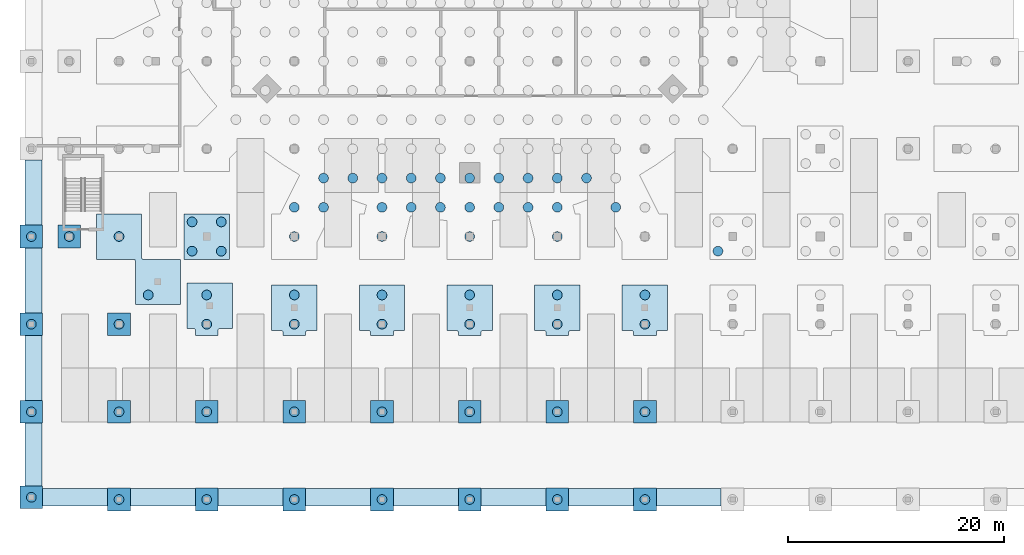
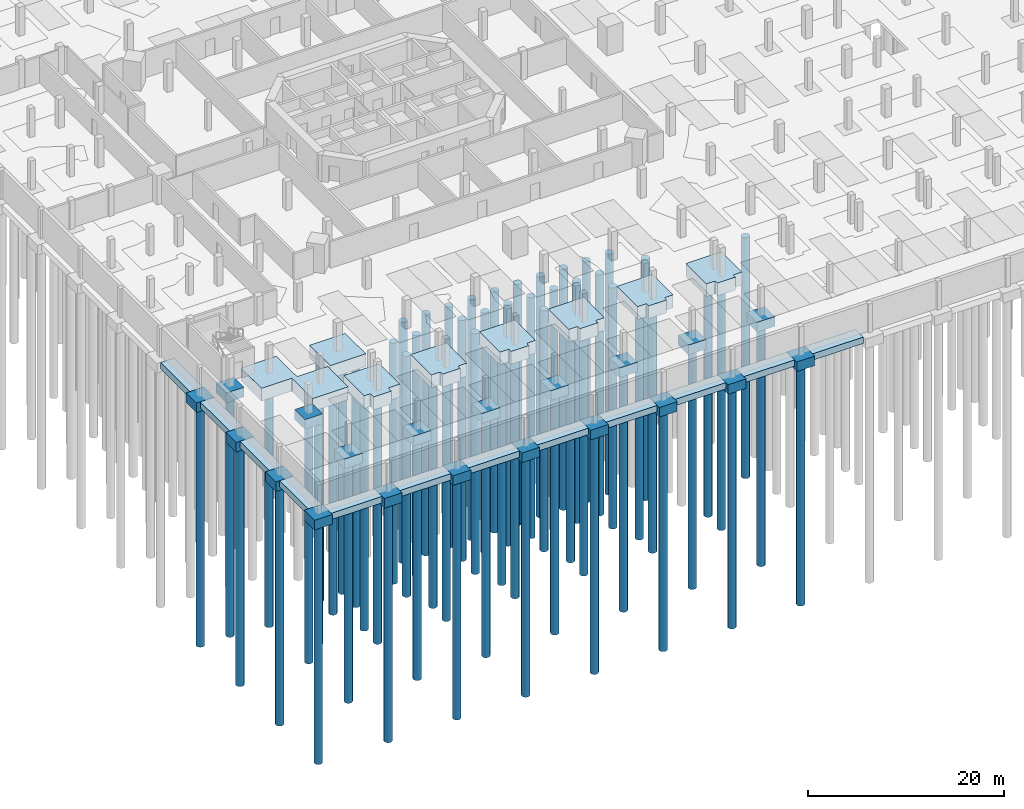
# One storey, part 1 of 23: 63 piles, 40 footings.
"""IFC4 building model written with IfcOpenShell, lengths in metres."""

import ifcopenshell
import ifcopenshell.guid

model = None  # the IFC model being written
_history = None  # IfcOwnerHistory: only IFC2X3 demands one
_inside = {}  # id of a spatial element -> (the spatial element, [elements in it])
_under = {}  # id of a project, library or spatial element -> (it, [spatial elements below it])
_declared = {}  # id of a project -> (the project, [libraries it declares])
_typed = {}  # id of a type object -> (the type object, [elements of that type])
_made_of = {}  # id of a material, layer set ... -> (it, [elements and type objects made of it])


def new_model(schema):
    """Start an empty IFC model of exactly this schema.

    Asked for "IFC4X3", IfcOpenShell would pick the latest addendum, in which some entities
    have other attributes; the version numbers below select the first issue.
    IFC2X3 requires an IfcOwnerHistory on every rooted entity: one is made here for all.
    """
    global model, _history
    if schema == "IFC4X3":
        model = ifcopenshell.file(schema_version=(4, 3, 0, 0))
    else:
        model = ifcopenshell.file(schema=schema)
    _inside.clear()
    _under.clear()
    _declared.clear()
    _typed.clear()
    _made_of.clear()
    _history = None
    if model.schema == "IFC2X3":
        org = make("IfcOrganization", Name="unknown")
        user = make(
            "IfcPersonAndOrganization",
            ThePerson=make("IfcPerson", FamilyName="unknown"),
            TheOrganization=org,
        )
        app = make(
            "IfcApplication",
            ApplicationDeveloper=org,
            Version="unknown",
            ApplicationFullName="unknown",
            ApplicationIdentifier="unknown",
        )
        _history = make(
            "IfcOwnerHistory",
            OwningUser=user,
            OwningApplication=app,
            ChangeAction="ADDED",
            CreationDate=0,
        )
    return model


def make(cls, **values):
    """One entity of the class cls with the attributes given. An attribute that is None is left unset."""
    return model.create_entity(
        cls, **{name: value for name, value in values.items() if value is not None}
    )


def rooted(cls, **values):
    """An entity with a GlobalId (a new one), such as an element, a storey or a relation."""
    return make(cls, GlobalId=ifcopenshell.guid.new(), OwnerHistory=_history, **values)


def si_unit(unit_type, name, prefix=None):
    """IfcSIUnit, for example si_unit("LENGTHUNIT", "METRE", prefix="MILLI")."""
    return make("IfcSIUnit", UnitType=unit_type, Prefix=prefix, Name=name)


def assignment(units):
    """IfcUnitAssignment: the units of a project."""
    return None if units is None else make("IfcUnitAssignment", Units=units)


def point(xyz):
    """IfcCartesianPoint."""
    return None if xyz is None else make("IfcCartesianPoint", Coordinates=xyz)


def direction(xyz):
    """IfcDirection."""
    return None if xyz is None else make("IfcDirection", DirectionRatios=xyz)


def frame(location, z_axis=None, x_axis=None):
    """IfcAxis2Placement3D, a coordinate frame: its origin and axes. An axis left out is left unset."""
    return make(
        "IfcAxis2Placement3D",
        Location=point(location),
        Axis=direction(z_axis),
        RefDirection=direction(x_axis),
    )


def frame_2d(location, x_axis=None):
    """IfcAxis2Placement2D, a coordinate frame in the plane: its origin and x axis."""
    return make(
        "IfcAxis2Placement2D", Location=point(location), RefDirection=direction(x_axis)
    )


def origin():
    """The frame at (0, 0, 0) with its axes left unset."""
    return frame((0.0, 0.0, 0.0))


def origin_2d():
    """The frame at (0, 0) in the plane with its x axis left unset."""
    return frame_2d((0.0, 0.0))


def place(relative_to, where):
    """IfcLocalPlacement: puts the frame where relative to a parent placement (None: the world)."""
    return make(
        "IfcLocalPlacement", PlacementRelTo=relative_to, RelativePlacement=where
    )


def context(
    kind, dimensions, precision=None, world=None, true_north=None, identifier=None
):
    """IfcGeometricRepresentationContext, for example the 3D "Model" context."""
    return make(
        "IfcGeometricRepresentationContext",
        ContextIdentifier=identifier,
        ContextType=kind,
        CoordinateSpaceDimension=dimensions,
        Precision=precision,
        WorldCoordinateSystem=world,
        TrueNorth=true_north,
    )


def subcontext(parent, identifier, kind, view, scale=None):
    """IfcGeometricRepresentationSubContext, for example "Body" below "Model"."""
    return make(
        "IfcGeometricRepresentationSubContext",
        ContextIdentifier=identifier,
        ContextType=kind,
        ParentContext=parent,
        TargetScale=scale,
        TargetView=view,
    )


def project(units=None, contexts=None):
    """IfcProject with its units and contexts."""
    return rooted(
        "IfcProject",
        Name="project",
        RepresentationContexts=contexts,
        UnitsInContext=assignment(units),
    )


def spatial(cls, under=None, at=None, **own):
    """A site, building, storey or space (cls), placed at a placement, below another one or the project."""
    s = rooted(cls, ObjectPlacement=at, **own)
    if under is not None:
        _under.setdefault(under.id(), (under, []))[1].append(s)
    return s


def polyline(points):
    """IfcPolyline through the points."""
    return make("IfcPolyline", Points=[point(p) for p in points])


def profile(cls, at=None, kind="AREA", **sizes):
    """A parametric profile (cls). Its sizes go by their IFC names, for example OverallWidth=200.0."""
    return make(cls, ProfileType=kind, Position=at, **sizes)


def rectangle(**sizes):
    """IfcRectangleProfileDef."""
    return profile("IfcRectangleProfileDef", **sizes)


def circle(**sizes):
    """IfcCircleProfileDef."""
    return profile("IfcCircleProfileDef", **sizes)


def outline(outer, holes=None, kind="AREA"):
    """IfcArbitraryClosedProfileDef: a profile drawn as a closed curve; with holes, ...WithVoids."""
    if holes is None:
        return make("IfcArbitraryClosedProfileDef", ProfileType=kind, OuterCurve=outer)
    return make(
        "IfcArbitraryProfileDefWithVoids",
        ProfileType=kind,
        OuterCurve=outer,
        InnerCurves=holes,
    )


def extrude(swept, where, along, depth):
    """IfcExtrudedAreaSolid: the profile swept, set in the frame where, extruded along a direction by depth."""
    return make(
        "IfcExtrudedAreaSolid",
        SweptArea=swept,
        Position=where,
        ExtrudedDirection=direction(along),
        Depth=depth,
    )


def shape(context_of_items, identifier, shape_type, items):
    """IfcShapeRepresentation: the items that make up one representation, for example the "Body"."""
    return make(
        "IfcShapeRepresentation",
        ContextOfItems=context_of_items,
        RepresentationIdentifier=identifier,
        RepresentationType=shape_type,
        Items=items,
    )


def material(Name=None, Category=None):
    """IfcMaterial."""
    return make("IfcMaterial", Name=Name, Category=Category)


def material_profile(
    of_material, cross_section, Name=None, Category=None, Priority=None
):
    """IfcMaterialProfile: a cross section and its material."""
    return make(
        "IfcMaterialProfile",
        Name=Name,
        Material=of_material,
        Profile=cross_section,
        Priority=Priority,
        Category=Category,
    )


def profile_set(profiles, Name=None, composite=None):
    """IfcMaterialProfileSet."""
    return make(
        "IfcMaterialProfileSet",
        Name=Name,
        MaterialProfiles=profiles,
        CompositeProfile=composite,
    )


def made_of(thing, what):
    """Note that an element or type object is made of a material, layer set ...; save() writes the relation."""
    if what is not None:
        _made_of.setdefault(what.id(), (what, []))[1].append(thing)
    return thing


def type_object(cls, material=None, **own):
    """A type object (cls), such as IfcWallType, which elements share."""
    return made_of(rooted(cls, **own), material)


def element(
    cls,
    number,
    at=None,
    inside=None,
    cuts=None,
    type_object=None,
    material=None,
    context=None,
    identifier="Body",
    shape_type=None,
    held_by="IfcProductDefinitionShape",
    body=None,
    shapes=None,
    **own,
):
    """One element of the class cls, such as IfcWall. Its Tag is "e" and its number.

    at: its placement. inside: the storey or other place that contains it. cuts: it is an
    opening in that element (IfcRelVoidsElement). A single representation is given by context,
    identifier, shape_type and body (its items); several are given by shapes. held_by: the class
    of the entity that holds the representations. save() writes the other relations.
    """
    e = rooted(cls, Tag="e%d" % number, ObjectPlacement=at, **own)
    if body is not None:
        shapes = [shape(context, identifier, shape_type, body)]
    if shapes is not None:
        e.Representation = make(held_by, Representations=shapes)
    if inside is not None:
        _inside.setdefault(inside.id(), (inside, []))[1].append(e)
    if cuts is not None:
        rooted(
            "IfcRelVoidsElement", RelatingBuildingElement=cuts, RelatedOpeningElement=e
        )
    if type_object is not None:
        _typed.setdefault(type_object.id(), (type_object, []))[1].append(e)
    return made_of(e, material)


def aggregate(whole, parts):
    """IfcRelAggregates: a whole, such as a stair, and the parts it consists of."""
    return rooted("IfcRelAggregates", RelatingObject=whole, RelatedObjects=parts)


def save(model, path):
    """Write the relations noted so far, then the file.

    IfcRelAggregates (storeys below a building ...), IfcRelContainedInSpatialStructure (elements
    in a storey), IfcRelDefinesByType, IfcRelAssociatesMaterial and IfcRelDeclares: one each for
    every whole, place, type object, material and project.
    """
    for whole, parts in _under.values():
        aggregate(whole, parts)
    for where, things in _inside.values():
        rooted(
            "IfcRelContainedInSpatialStructure",
            RelatedElements=things,
            RelatingStructure=where,
        )
    for kind, things in _typed.values():
        rooted("IfcRelDefinesByType", RelatedObjects=things, RelatingType=kind)
    for what, things in _made_of.values():
        rooted("IfcRelAssociatesMaterial", RelatedObjects=things, RelatingMaterial=what)
    for by, libraries in _declared.values():
        rooted("IfcRelDeclares", RelatingContext=by, RelatedDefinitions=libraries)
    model.write(path)


model = new_model("IFC4")

# Units and contexts
model_context = context("Model", 3, precision=1e-05, world=origin(), true_north=direction((0.0, 1.0)))
body_context = subcontext(model_context, "Body", "Model", "MODEL_VIEW")
ifc_project = project(units=[si_unit("LENGTHUNIT", "METRE"), si_unit("AREAUNIT", "SQUARE_METRE"), si_unit("VOLUMEUNIT", "CUBIC_METRE"), si_unit("PLANEANGLEUNIT", "RADIAN"), si_unit("MASSUNIT", "GRAM", prefix="KILO")], contexts=[model_context])

# Site, building, storey
site_placement = place(None, origin())
site = spatial("IfcSite", under=ifc_project, at=site_placement, CompositionType="ELEMENT")
building_placement = place(site_placement, origin())
building = spatial("IfcBuilding", under=site, at=building_placement, Name="Torre Triforio", CompositionType="ELEMENT")
storey_placement = place(building_placement, frame((0.0, 0.0, -10.800048828125)))
storey = spatial("IfcBuildingStorey", under=building, at=storey_placement, Name="B3", CompositionType="ELEMENT", Elevation=-10.800048828125)

# Piles
ifc_material_1 = material(Name="Concrete C35", Category="concrete")
ifc_material_profile = material_profile(ifc_material_1, circle(Radius=0.449951171875, at=origin_2d()), Name="RC D900")
ifc_profile_set = profile_set([ifc_material_profile], Name="Concrete C35")
pile_type = type_object("IfcPileType", Name="Bored pile D900 C35", PredefinedType="BORED", material=ifc_profile_set)
for number, where, z_axis, x_axis, name in (
    (1, (-16.199951171875, -32.39990234375, -3.39990234375), (0.0, 0.0, -1.0), (1.0, 0.0, 0.0), "PL.RAFT.079"),
    (2, (-16.199951171875, -29.699951171875, -3.39990234375), (0.0, 0.0, -1.0), (1.0, 0.0, 0.0), "PL.RAFT.080"),
    (3, (-13.5, -29.699951171875, -3.39990234375), (0.0, 0.0, -1.0), (1.0, 0.0, 0.0), "PL.RAFT.102"),
    (4, (-13.5, -27.0, -3.39990234375), (0.0, 0.0, -1.0), (1.0, 0.0, 0.0), "PL.RAFT.103"),
    (5, (-10.800048828125, -27.0, -3.39990234375), (0.0, 0.0, -1.0), (1.0, 0.0, 0.0), "PL.RAFT.125"),
    (6, (-8.10009765625, -32.39990234375, -3.39990234375), (0.0, 0.0, -1.0), (1.0, 0.0, 0.0), "PL.RAFT.146"),
    (7, (-8.10009765625, -29.699951171875, -3.39990234375), (0.0, 0.0, -1.0), (1.0, 0.0, 0.0), "PL.RAFT.147"),
    (8, (-8.10009765625, -27.0, -3.39990234375), (0.0, 0.0, -1.0), (1.0, 0.0, 0.0), "PL.RAFT.148"),
    (9, (-5.39990234375, -29.699951171875, -3.39990234375), (0.0, 0.0, -1.0), (1.0, 0.0, 0.0), "PL.RAFT.171"),
    (10, (-5.39990234375, -27.0, -3.39990234375), (0.0, 0.0, -1.0), (1.0, 0.0, 0.0), "PL.RAFT.172"),
    (11, (-2.699951171875, -29.699951171875, -3.39990234375), (0.0, 0.0, -1.0), (1.0, 0.0, 0.0), "PL.RAFT.194"),
    (12, (-2.699951171875, -27.0, -3.39990234375), (0.0, 0.0, -1.0), (1.0, 0.0, 0.0), "PL.RAFT.195"),
    (13, (0.0, -32.39990234375, -3.39990234375), (0.0, 0.0, -1.0), (1.0, 0.0, 0.0), "PL.RAFT.217"),
    (14, (0.0, -29.699951171875, -3.39990234375), (0.0, 0.0, -1.0), (1.0, 0.0, 0.0), "PL.RAFT.218"),
    (15, (0.0, -27.0, -3.39990234375), (0.0, 0.0, -1.0), (1.0, 0.0, 0.0), "PL.RAFT.219"),
    (16, (2.699951171875, -29.699951171875, -3.39990234375), (0.0, 0.0, -1.0), (1.0, 0.0, 0.0), "PL.RAFT.242"),
    (17, (2.699951171875, -27.0, -3.39990234375), (0.0, 0.0, -1.0), (1.0, 0.0, 0.0), "PL.RAFT.243"),
    (18, (5.39990234375, -29.699951171875, -3.39990234375), (0.0, 0.0, -1.0), (1.0, 0.0, 0.0), "PL.RAFT.265"),
    (19, (5.39990234375, -27.0, -3.39990234375), (0.0, 0.0, -1.0), (1.0, 0.0, 0.0), "PL.RAFT.266"),
    (20, (8.10009765625, -32.39990234375, -3.39990234375), (0.0, 0.0, -1.0), (1.0, 0.0, 0.0), "PL.RAFT.288"),
    (21, (8.10009765625, -29.699951171875, -3.39990234375), (0.0, 0.0, -1.0), (1.0, 0.0, 0.0), "PL.RAFT.289"),
    (22, (8.10009765625, -27.0, -3.39990234375), (0.0, 0.0, -1.0), (1.0, 0.0, 0.0), "PL.RAFT.290"),
    (23, (10.800048828125, -27.0, -3.39990234375), (0.0, 0.0, -1.0), (1.0, 0.0, 0.0), "PL.RAFT.313"),
    (24, (13.5, -29.699951171875, -3.39990234375), (0.0, 0.0, -1.0), (1.0, 0.0, 0.0), "PL.RAFT.334"),
    (25, (-32.39990234375, -56.699951171875, -1.099853515625), (0.0, 0.0, -1.0), (1.0, 0.0, 0.0), "PL.PC.001.1"),
    (26, (-24.300048828125, -56.699951171875, -1.099853515625), (0.0, 0.0, -1.0), (1.0, 0.0, 0.0), "PL.PC.002.1"),
    (27, (-16.199951171875, -56.699951171875, -1.099853515625), (0.0, 0.0, -1.0), (1.0, 0.0, 0.0), "PL.PC.003.1"),
    (28, (-8.10009765625, -56.699951171875, -1.099853515625), (0.0, 0.0, -1.0), (1.0, 0.0, 0.0), "PL.PC.004.1"),
    (29, (0.0, -56.699951171875, -1.099853515625), (0.0, 0.0, -1.0), (1.0, 0.0, 0.0), "PL.PC.005.1"),
    (30, (8.10009765625, -56.699951171875, -1.099853515625), (0.0, 0.0, -1.0), (1.0, 0.0, 0.0), "PL.PC.006.1"),
    (31, (16.199951171875, -56.699951171875, -1.099853515625), (0.0, 0.0, -1.0), (1.0, 0.0, 0.0), "PL.PC.007.1"),
    (32, (-40.5, -56.5, -1.099853515625), (0.0, 0.0, -1.0), (1.0, 0.0, 0.0), "PL.PC.016.1"),
    (33, (-40.5, -48.60009765625, -1.099853515625), (0.0, 0.0, -1.0), (1.0, 0.0, 0.0), "PL.PC.018.1"),
    (34, (-32.39990234375, -48.60009765625, -1.099853515625), (0.0, 0.0, -1.0), (1.0, 0.0, 0.0), "PL.PC.019.1"),
    (35, (-24.300048828125, -48.60009765625, -1.099853515625), (0.0, 0.0, -1.0), (1.0, 0.0, 0.0), "PL.PC.020.1"),
    (36, (-16.199951171875, -48.60009765625, -1.099853515625), (0.0, 0.0, -1.0), (1.0, 0.0, 0.0), "PL.PC.021.1"),
    (37, (-8.10009765625, -48.60009765625, -1.099853515625), (0.0, 0.0, -1.0), (1.0, 0.0, 0.0), "PL.PC.022.1"),
    (38, (0.0, -48.60009765625, -1.099853515625), (0.0, 0.0, -1.0), (1.0, 0.0, 0.0), "PL.PC.023.1"),
    (39, (8.10009765625, -48.60009765625, -1.099853515625), (0.0, 0.0, -1.0), (1.0, 0.0, 0.0), "PL.PC.024.1"),
    (40, (16.199951171875, -48.60009765625, -1.099853515625), (0.0, 0.0, -1.0), (1.0, 0.0, 0.0), "PL.PC.025.1"),
    (41, (-40.5, -40.5, -1.099853515625), (0.0, 0.0, -1.0), (1.0, 0.0, 0.0), "PL.PC.035.1"),
    (42, (-32.39990234375, -40.5, -1.099853515625), (0.0, 0.0, -1.0), (1.0, 0.0, 0.0), "PL.PC.036.1"),
    (43, (-16.199951171875, -40.5, -1.5), (0.0, 0.0, -1.0), (1.0, 0.0, 0.0), "PL.PC.041.1"),
    (44, (-16.199951171875, -37.800048828125, -1.5), (0.0, 0.0, -1.0), (1.0, 0.0, 0.0), "PL.PC.041.2"),
    (45, (-8.10009765625, -40.5, -1.5), (0.0, 0.0, -1.0), (1.0, 0.0, 0.0), "PL.PC.042.1"),
    (46, (-8.10009765625, -37.800048828125, -1.5), (0.0, 0.0, -1.0), (1.0, 0.0, 0.0), "PL.PC.042.2"),
    (47, (0.0, -40.5, -1.5), (0.0, 0.0, -1.0), (1.0, 0.0, 0.0), "PL.PC.043.1"),
    (48, (0.0, -37.800048828125, -1.5), (0.0, 0.0, -1.0), (1.0, 0.0, 0.0), "PL.PC.043.2"),
    (49, (8.10009765625, -40.5, -1.5), (0.0, 0.0, -1.0), (1.0, 0.0, 0.0), "PL.PC.044.1"),
    (50, (8.10009765625, -37.800048828125, -1.5), (0.0, 0.0, -1.0), (1.0, 0.0, 0.0), "PL.PC.044.2"),
    (51, (16.199951171875, -40.5, -1.5), (0.0, 0.0, -1.0), (1.0, 0.0, 0.0), "PL.PC.045.1"),
    (52, (16.199951171875, -37.800048828125, -1.5), (0.0, 0.0, -1.0), (1.0, 0.0, 0.0), "PL.PC.045.2"),
    (53, (-24.300048828125, -40.5, -1.5), (0.0, 0.0, -1.0), (1.0, 0.0, 0.0), "PL.PC.050.1"),
    (54, (-24.300048828125, -37.800048828125, -1.5), (0.0, 0.0, -1.0), (1.0, 0.0, 0.0), "PL.PC.050.2"),
    (55, (-32.39990234375, -32.39990234375, -1.5), (0.0, 0.0, -1.0), (1.0, 0.0, 0.0), "PL.PC.052.1"),
    (56, (-29.699951171875, -37.800048828125, -1.5), (0.0, 0.0, -1.0), (1.0, 0.0, 0.0), "PL.PC.052.2"),
    (57, (-40.5, -32.39990234375, -1.099853515625), (0.0, 0.0, -1.0), (1.0, 0.0, 0.0), "PL.PC.053.1"),
    (58, (-37.0, -32.39990234375, -1.099853515625), (0.0, 0.0, -1.0), (1.0, 0.0, 0.0), "PL.PC.054.1"),
    (59, (-25.64990234375, -33.75, -1.5), (0.0, 0.0, -1.0), (1.0, 0.0, 0.0), "PL.PC.055.1"),
    (60, (-22.949951171875, -33.75, -1.5), (0.0, 0.0, -1.0), (1.0, 0.0, 0.0), "PL.PC.055.2"),
    (61, (-25.64990234375, -31.050048828125, -1.5), (0.0, 0.0, -1.0), (1.0, 0.0, 0.0), "PL.PC.055.3"),
    (62, (-22.949951171875, -31.050048828125, -1.5), (0.0, 0.0, -1.0), (1.0, 0.0, 0.0), "PL.PC.055.4"),
    (63, (22.949951171875, -33.75, -1.5), (0.0, 0.0, -1.0), (1.0, 0.0, 0.0), "PL.PC.056.1"),
):
    element("IfcPile", number, at=place(storey_placement, frame(where, z_axis=z_axis, x_axis=x_axis)), inside=storey, type_object=pile_type, Name=name, PredefinedType="BORED", context=body_context, shape_type="SweptSolid", body=[
        extrude(circle(Radius=0.449951171875, at=origin_2d()), origin(), (0.0, 0.0, 1.0), 30.0),
    ])

# Footings
ifc_material_2 = material(Name="Concrete C50", Category="concrete")
footing_type_1 = type_object("IfcFootingType", Name="Pile cap combined 1600 C50", PredefinedType="PILE_CAP", material=ifc_material_2)
footing_1_placement = place(storey_placement, frame((0.0, 0.0, -1.599853515625)))
element("IfcFooting", 64, at=footing_1_placement, inside=storey, type_object=footing_type_1, Name="FT.PC.041", PredefinedType="PILE_CAP", context=body_context, shape_type="SweptSolid", body=[
    extrude(outline(polyline([(-18.2998046875, -41.099853515625), (-18.29638671875, -41.10009765625), (-17.39990234375, -41.10009765625), (-17.38525390625, -41.100830078125), (-17.370849609375, -41.102783203125), (-17.3564453125, -41.1064453125), (-17.342529296875, -41.111328125), (-17.329345703125, -41.11767578125), (-17.316650390625, -41.125244140625), (-17.304931640625, -41.134033203125), (-17.2939453125, -41.14404296875), (-17.283935546875, -41.15478515625), (-17.275390625, -41.166748046875), (-17.267822265625, -41.17919921875), (-17.261474609375, -41.192626953125), (-17.25634765625, -41.20654296875), (-17.2529296875, -41.220703125), (-17.250732421875, -41.2353515625), (-17.25, -41.25), (-17.25, -41.54638671875), (-17.249755859375, -41.5498046875), (-17.246337890625, -41.550048828125), (-15.153564453125, -41.550048828125), (-15.150146484375, -41.5498046875), (-15.14990234375, -41.54638671875), (-15.14990234375, -41.25), (-15.149169921875, -41.2353515625), (-15.147216796875, -41.220703125), (-15.1435546875, -41.20654296875), (-15.138671875, -41.192626953125), (-15.13232421875, -41.17919921875), (-15.124755859375, -41.166748046875), (-15.115966796875, -41.15478515625), (-15.10595703125, -41.14404296875), (-15.09521484375, -41.134033203125), (-15.083251953125, -41.125244140625), (-15.07080078125, -41.11767578125), (-15.057373046875, -41.111328125), (-15.04345703125, -41.1064453125), (-15.029296875, -41.102783203125), (-15.0146484375, -41.100830078125), (-15.0, -41.10009765625), (-14.103759765625, -41.10009765625), (-14.10009765625, -41.099853515625), (-14.10009765625, -41.096435546875), (-14.10009765625, -36.903564453125), (-14.10009765625, -36.900146484375), (-14.103759765625, -36.89990234375), (-18.29638671875, -36.89990234375), (-18.2998046875, -36.900146484375), (-18.300048828125, -36.903564453125), (-18.300048828125, -41.096435546875), (-18.2998046875, -41.099853515625)])), origin(), (0.0, 0.0, 1.0), 1.599853515625),
])
footing_2_placement = place(storey_placement, frame((0.0, 0.0, -1.599853515625)))
element("IfcFooting", 65, at=footing_2_placement, inside=storey, type_object=footing_type_1, Name="FT.PC.042", PredefinedType="PILE_CAP", context=body_context, shape_type="SweptSolid", body=[
    extrude(outline(polyline([(-10.19970703125, -41.099853515625), (-10.1962890625, -41.10009765625), (-9.300048828125, -41.10009765625), (-9.285400390625, -41.100830078125), (-9.270751953125, -41.102783203125), (-9.25634765625, -41.1064453125), (-9.24267578125, -41.111328125), (-9.229248046875, -41.11767578125), (-9.216552734375, -41.125244140625), (-9.204833984375, -41.134033203125), (-9.19384765625, -41.14404296875), (-9.18408203125, -41.15478515625), (-9.17529296875, -41.166748046875), (-9.167724609375, -41.17919921875), (-9.161376953125, -41.192626953125), (-9.156494140625, -41.20654296875), (-9.15283203125, -41.220703125), (-9.150634765625, -41.2353515625), (-9.14990234375, -41.25), (-9.14990234375, -41.54638671875), (-9.14990234375, -41.5498046875), (-9.146240234375, -41.550048828125), (-7.0537109375, -41.550048828125), (-7.05029296875, -41.5498046875), (-7.050048828125, -41.54638671875), (-7.050048828125, -41.25), (-7.04931640625, -41.2353515625), (-7.047119140625, -41.220703125), (-7.04345703125, -41.20654296875), (-7.03857421875, -41.192626953125), (-7.0322265625, -41.17919921875), (-7.024658203125, -41.166748046875), (-7.015869140625, -41.15478515625), (-7.006103515625, -41.14404296875), (-6.9951171875, -41.134033203125), (-6.9833984375, -41.125244140625), (-6.970703125, -41.11767578125), (-6.95751953125, -41.111328125), (-6.943603515625, -41.1064453125), (-6.92919921875, -41.102783203125), (-6.914794921875, -41.100830078125), (-6.89990234375, -41.10009765625), (-6.003662109375, -41.10009765625), (-6.000244140625, -41.099853515625), (-6.0, -41.096435546875), (-6.0, -36.903564453125), (-6.000244140625, -36.900146484375), (-6.003662109375, -36.89990234375), (-10.1962890625, -36.89990234375), (-10.19970703125, -36.900146484375), (-10.199951171875, -36.903564453125), (-10.199951171875, -41.096435546875), (-10.19970703125, -41.099853515625)])), origin(), (0.0, 0.0, 1.0), 1.599853515625),
])
footing_3_placement = place(storey_placement, frame((0.0, 0.0, -1.599853515625)))
element("IfcFooting", 66, at=footing_3_placement, inside=storey, type_object=footing_type_1, Name="FT.PC.043", PredefinedType="PILE_CAP", context=body_context, shape_type="SweptSolid", body=[
    extrude(outline(polyline([(-2.099853515625, -41.099853515625), (-2.096435546875, -41.10009765625), (-1.199951171875, -41.10009765625), (-1.185302734375, -41.100830078125), (-1.170654296875, -41.102783203125), (-1.156494140625, -41.1064453125), (-1.142578125, -41.111328125), (-1.12939453125, -41.11767578125), (-1.11669921875, -41.125244140625), (-1.104736328125, -41.134033203125), (-1.093994140625, -41.14404296875), (-1.083984375, -41.15478515625), (-1.0751953125, -41.166748046875), (-1.067626953125, -41.17919921875), (-1.0615234375, -41.192626953125), (-1.056396484375, -41.20654296875), (-1.052978515625, -41.220703125), (-1.05078125, -41.2353515625), (-1.050048828125, -41.25), (-1.050048828125, -41.54638671875), (-1.0498046875, -41.5498046875), (-1.04638671875, -41.550048828125), (1.04638671875, -41.550048828125), (1.0498046875, -41.5498046875), (1.050048828125, -41.54638671875), (1.050048828125, -41.25), (1.05078125, -41.2353515625), (1.052978515625, -41.220703125), (1.056396484375, -41.20654296875), (1.0615234375, -41.192626953125), (1.067626953125, -41.17919921875), (1.0751953125, -41.166748046875), (1.083984375, -41.15478515625), (1.093994140625, -41.14404296875), (1.104736328125, -41.134033203125), (1.11669921875, -41.125244140625), (1.12939453125, -41.11767578125), (1.142578125, -41.111328125), (1.156494140625, -41.1064453125), (1.170654296875, -41.102783203125), (1.185302734375, -41.100830078125), (1.199951171875, -41.10009765625), (2.096435546875, -41.10009765625), (2.099853515625, -41.099853515625), (2.10009765625, -41.096435546875), (2.10009765625, -36.903564453125), (2.099853515625, -36.900146484375), (2.096435546875, -36.89990234375), (-2.096435546875, -36.89990234375), (-2.099853515625, -36.900146484375), (-2.10009765625, -36.903564453125), (-2.10009765625, -41.096435546875), (-2.099853515625, -41.099853515625)])), origin(), (0.0, 0.0, 1.0), 1.599853515625),
])
footing_4_placement = place(storey_placement, frame((0.0, 0.0, -1.599853515625)))
element("IfcFooting", 67, at=footing_4_placement, inside=storey, type_object=footing_type_1, Name="FT.PC.044", PredefinedType="PILE_CAP", context=body_context, shape_type="SweptSolid", body=[
    extrude(outline(polyline([(6.000244140625, -41.099853515625), (6.003662109375, -41.10009765625), (6.89990234375, -41.10009765625), (6.914794921875, -41.100830078125), (6.92919921875, -41.102783203125), (6.943603515625, -41.1064453125), (6.95751953125, -41.111328125), (6.970703125, -41.11767578125), (6.9833984375, -41.125244140625), (6.9951171875, -41.134033203125), (7.006103515625, -41.14404296875), (7.015869140625, -41.15478515625), (7.024658203125, -41.166748046875), (7.0322265625, -41.17919921875), (7.03857421875, -41.192626953125), (7.04345703125, -41.20654296875), (7.047119140625, -41.220703125), (7.04931640625, -41.2353515625), (7.050048828125, -41.25), (7.050048828125, -41.54638671875), (7.05029296875, -41.5498046875), (7.0537109375, -41.550048828125), (9.146240234375, -41.550048828125), (9.14990234375, -41.5498046875), (9.14990234375, -41.54638671875), (9.14990234375, -41.25), (9.150634765625, -41.2353515625), (9.15283203125, -41.220703125), (9.156494140625, -41.20654296875), (9.161376953125, -41.192626953125), (9.167724609375, -41.17919921875), (9.17529296875, -41.166748046875), (9.18408203125, -41.15478515625), (9.19384765625, -41.14404296875), (9.204833984375, -41.134033203125), (9.216552734375, -41.125244140625), (9.229248046875, -41.11767578125), (9.24267578125, -41.111328125), (9.25634765625, -41.1064453125), (9.270751953125, -41.102783203125), (9.285400390625, -41.100830078125), (9.300048828125, -41.10009765625), (10.1962890625, -41.10009765625), (10.19970703125, -41.099853515625), (10.199951171875, -41.096435546875), (10.199951171875, -36.903564453125), (10.19970703125, -36.900146484375), (10.1962890625, -36.89990234375), (6.003662109375, -36.89990234375), (6.000244140625, -36.900146484375), (6.0, -36.903564453125), (6.0, -41.096435546875), (6.000244140625, -41.099853515625)])), origin(), (0.0, 0.0, 1.0), 1.599853515625),
])
footing_5_placement = place(storey_placement, frame((0.0, 0.0, -1.599853515625)))
element("IfcFooting", 68, at=footing_5_placement, inside=storey, type_object=footing_type_1, Name="FT.PC.045", PredefinedType="PILE_CAP", context=body_context, shape_type="SweptSolid", body=[
    extrude(outline(polyline([(14.10009765625, -41.099853515625), (14.103759765625, -41.10009765625), (15.0, -41.10009765625), (15.0146484375, -41.100830078125), (15.029296875, -41.102783203125), (15.04345703125, -41.1064453125), (15.057373046875, -41.111328125), (15.07080078125, -41.11767578125), (15.083251953125, -41.125244140625), (15.09521484375, -41.134033203125), (15.10595703125, -41.14404296875), (15.115966796875, -41.15478515625), (15.124755859375, -41.166748046875), (15.13232421875, -41.17919921875), (15.138671875, -41.192626953125), (15.1435546875, -41.20654296875), (15.147216796875, -41.220703125), (15.149169921875, -41.2353515625), (15.14990234375, -41.25), (15.14990234375, -41.54638671875), (15.150146484375, -41.5498046875), (15.153564453125, -41.550048828125), (17.246337890625, -41.550048828125), (17.249755859375, -41.5498046875), (17.25, -41.54638671875), (17.25, -41.25), (17.250732421875, -41.2353515625), (17.2529296875, -41.220703125), (17.25634765625, -41.20654296875), (17.261474609375, -41.192626953125), (17.267822265625, -41.17919921875), (17.275390625, -41.166748046875), (17.283935546875, -41.15478515625), (17.2939453125, -41.14404296875), (17.304931640625, -41.134033203125), (17.316650390625, -41.125244140625), (17.329345703125, -41.11767578125), (17.342529296875, -41.111328125), (17.3564453125, -41.1064453125), (17.370849609375, -41.102783203125), (17.38525390625, -41.100830078125), (17.39990234375, -41.10009765625), (18.29638671875, -41.10009765625), (18.2998046875, -41.099853515625), (18.300048828125, -41.096435546875), (18.300048828125, -36.903564453125), (18.2998046875, -36.900146484375), (18.29638671875, -36.89990234375), (14.103759765625, -36.89990234375), (14.10009765625, -36.900146484375), (14.10009765625, -36.903564453125), (14.10009765625, -41.096435546875), (14.10009765625, -41.099853515625)])), origin(), (0.0, 0.0, 1.0), 1.599853515625),
])
footing_6_placement = place(storey_placement, frame((0.0, 0.0, -1.599853515625)))
element("IfcFooting", 69, at=footing_6_placement, inside=storey, type_object=footing_type_1, Name="FT.PC.050", PredefinedType="PILE_CAP", context=body_context, shape_type="SweptSolid", body=[
    extrude(outline(polyline([(-26.099853515625, -40.89990234375), (-26.096435546875, -40.89990234375), (-25.5, -40.89990234375), (-25.4853515625, -40.900634765625), (-25.470703125, -40.90283203125), (-25.45654296875, -40.906494140625), (-25.442626953125, -40.911376953125), (-25.42919921875, -40.917724609375), (-25.416748046875, -40.92529296875), (-25.40478515625, -40.93408203125), (-25.39404296875, -40.94384765625), (-25.384033203125, -40.954833984375), (-25.375244140625, -40.966552734375), (-25.36767578125, -40.979248046875), (-25.361328125, -40.99267578125), (-25.3564453125, -41.00634765625), (-25.352783203125, -41.020751953125), (-25.350830078125, -41.035400390625), (-25.35009765625, -41.050048828125), (-25.35009765625, -41.54638671875), (-25.349853515625, -41.5498046875), (-25.346435546875, -41.550048828125), (-23.253662109375, -41.550048828125), (-23.250244140625, -41.5498046875), (-23.25, -41.54638671875), (-23.25, -41.050048828125), (-23.249267578125, -41.035400390625), (-23.2470703125, -41.020751953125), (-23.24365234375, -41.00634765625), (-23.238525390625, -40.99267578125), (-23.232177734375, -40.979248046875), (-23.224609375, -40.966552734375), (-23.216064453125, -40.954833984375), (-23.2060546875, -40.94384765625), (-23.195068359375, -40.93408203125), (-23.183349609375, -40.92529296875), (-23.170654296875, -40.917724609375), (-23.157470703125, -40.911376953125), (-23.1435546875, -40.906494140625), (-23.129150390625, -40.90283203125), (-23.11474609375, -40.900634765625), (-23.10009765625, -40.89990234375), (-21.903564453125, -40.89990234375), (-21.900146484375, -40.89990234375), (-21.89990234375, -40.896240234375), (-21.89990234375, -36.70361328125), (-21.900146484375, -36.7001953125), (-21.903564453125, -36.699951171875), (-26.096435546875, -36.699951171875), (-26.099853515625, -36.7001953125), (-26.10009765625, -36.70361328125), (-26.10009765625, -40.896240234375), (-26.099853515625, -40.89990234375)])), origin(), (0.0, 0.0, 1.0), 1.599853515625),
])
footing_7_placement = place(storey_placement, frame((0.0, 0.0, -1.599853515625)))
element("IfcFooting", 70, at=footing_7_placement, inside=storey, type_object=footing_type_1, Name="FT.PC.052", PredefinedType="PILE_CAP", context=body_context, shape_type="SweptSolid", body=[
    extrude(outline(polyline([(-34.499755859375, -30.30029296875), (-34.5, -30.3037109375), (-34.5, -34.496337890625), (-34.499755859375, -34.499755859375), (-34.496337890625, -34.5), (-31.050048828125, -34.5), (-31.035400390625, -34.500732421875), (-31.020751953125, -34.5029296875), (-31.00634765625, -34.50634765625), (-30.99267578125, -34.511474609375), (-30.979248046875, -34.517822265625), (-30.966552734375, -34.525390625), (-30.954833984375, -34.533935546875), (-30.94384765625, -34.5439453125), (-30.93408203125, -34.554931640625), (-30.92529296875, -34.566650390625), (-30.917724609375, -34.579345703125), (-30.911376953125, -34.592529296875), (-30.906494140625, -34.6064453125), (-30.90283203125, -34.620849609375), (-30.900634765625, -34.63525390625), (-30.89990234375, -34.64990234375), (-30.89990234375, -38.6962890625), (-30.89990234375, -38.69970703125), (-30.896240234375, -38.699951171875), (-26.70361328125, -38.699951171875), (-26.7001953125, -38.69970703125), (-26.699951171875, -38.6962890625), (-26.699951171875, -34.503662109375), (-26.7001953125, -34.500244140625), (-26.70361328125, -34.5), (-30.14990234375, -34.5), (-30.164794921875, -34.499267578125), (-30.17919921875, -34.4970703125), (-30.193603515625, -34.49365234375), (-30.20751953125, -34.488525390625), (-30.220703125, -34.482177734375), (-30.2333984375, -34.474609375), (-30.2451171875, -34.466064453125), (-30.256103515625, -34.4560546875), (-30.265869140625, -34.445068359375), (-30.274658203125, -34.433349609375), (-30.2822265625, -34.420654296875), (-30.28857421875, -34.407470703125), (-30.29345703125, -34.3935546875), (-30.297119140625, -34.379150390625), (-30.29931640625, -34.36474609375), (-30.300048828125, -34.35009765625), (-30.300048828125, -30.3037109375), (-30.30029296875, -30.30029296875), (-30.3037109375, -30.300048828125), (-34.496337890625, -30.300048828125), (-34.499755859375, -30.30029296875)])), origin(), (0.0, 0.0, 1.0), 1.599853515625),
])
footing_type_2 = type_object("IfcFootingType", Name="Pile cap four pile 4200 1600 C50", PredefinedType="PILE_CAP", material=ifc_material_2)
footing_8_placement = place(storey_placement, frame((-24.300048828125, -32.39990234375, -1.60009765625), z_axis=(0.0, 0.0, 1.0), x_axis=(1.0, 0.0, 0.0)))
element("IfcFooting", 71, at=footing_8_placement, inside=storey, type_object=footing_type_2, Name="FT.PC.055", PredefinedType="PILE_CAP", context=body_context, shape_type="SweptSolid", body=[
    extrude(rectangle(XDim=4.199951171875, YDim=4.199951171875, at=origin_2d()), origin(), (0.0, 0.0, 1.0), 1.60009765625),
])
footing_type_3 = type_object("IfcFootingType", Name="Pile cap single pile 2100 1200 C50", PredefinedType="PILE_CAP", material=ifc_material_2)
for number, where, z_axis, x_axis, name in (
    (72, (-32.39990234375, -56.699951171875, -1.19970703125), (0.0, 0.0, 1.0), (1.0, 0.0, 0.0), "FT.PC.001"),
    (73, (-24.300048828125, -56.699951171875, -1.19970703125), (0.0, 0.0, 1.0), (1.0, 0.0, 0.0), "FT.PC.002"),
    (74, (-16.199951171875, -56.699951171875, -1.19970703125), (0.0, 0.0, 1.0), (1.0, 0.0, 0.0), "FT.PC.003"),
    (75, (-8.10009765625, -56.699951171875, -1.19970703125), (0.0, 0.0, 1.0), (1.0, 0.0, 0.0), "FT.PC.004"),
    (76, (0.0, -56.699951171875, -1.19970703125), (0.0, 0.0, 1.0), (1.0, 0.0, 0.0), "FT.PC.005"),
    (77, (8.10009765625, -56.699951171875, -1.19970703125), (0.0, 0.0, 1.0), (1.0, 0.0, 0.0), "FT.PC.006"),
    (78, (16.199951171875, -56.699951171875, -1.19970703125), (0.0, 0.0, 1.0), (1.0, 0.0, 0.0), "FT.PC.007"),
    (79, (-40.5, -56.5, -1.19970703125), (0.0, 0.0, 1.0), (1.0, 0.0, 0.0), "FT.PC.016"),
    (80, (-40.5, -48.60009765625, -1.19970703125), (0.0, 0.0, 1.0), (1.0, 0.0, 0.0), "FT.PC.018"),
    (81, (-32.39990234375, -48.60009765625, -1.19970703125), (0.0, 0.0, 1.0), (1.0, 0.0, 0.0), "FT.PC.019"),
    (82, (-24.300048828125, -48.60009765625, -1.19970703125), (0.0, 0.0, 1.0), (1.0, 0.0, 0.0), "FT.PC.020"),
    (83, (-16.199951171875, -48.60009765625, -1.19970703125), (0.0, 0.0, 1.0), (1.0, 0.0, 0.0), "FT.PC.021"),
    (84, (-8.10009765625, -48.60009765625, -1.19970703125), (0.0, 0.0, 1.0), (1.0, 0.0, 0.0), "FT.PC.022"),
    (85, (0.0, -48.60009765625, -1.19970703125), (0.0, 0.0, 1.0), (1.0, 0.0, 0.0), "FT.PC.023"),
    (86, (8.10009765625, -48.60009765625, -1.19970703125), (0.0, 0.0, 1.0), (1.0, 0.0, 0.0), "FT.PC.024"),
    (87, (16.199951171875, -48.60009765625, -1.19970703125), (0.0, 0.0, 1.0), (1.0, 0.0, 0.0), "FT.PC.025"),
    (88, (-40.5, -40.5, -1.19970703125), (0.0, 0.0, 1.0), (1.0, 0.0, 0.0), "FT.PC.035"),
    (89, (-32.39990234375, -40.5, -1.19970703125), (0.0, 0.0, 1.0), (1.0, 0.0, 0.0), "FT.PC.036"),
    (90, (-40.5, -32.39990234375, -1.19970703125), (0.0, 0.0, 1.0), (1.0, 0.0, 0.0), "FT.PC.053"),
    (91, (-37.0, -32.39990234375, -1.19970703125), (0.0, 0.0, 1.0), (1.0, 0.0, 0.0), "FT.PC.054"),
):
    element("IfcFooting", number, at=place(storey_placement, frame(where, z_axis=z_axis, x_axis=x_axis)), inside=storey, type_object=footing_type_3, Name=name, PredefinedType="PILE_CAP", context=body_context, shape_type="SweptSolid", body=[
        extrude(rectangle(XDim=2.10009765625, YDim=2.10009765625, at=origin_2d()), origin(), (0.0, 0.0, 1.0), 1.199951171875),
    ])
ifc_material_3 = material(Name="Concrete C40", Category="concrete")
footing_type_4 = type_object("IfcFootingType", Name="Strip footing 1600 800 C40", PredefinedType="STRIP_FOOTING", material=ifc_material_3)
footing_9_placement = place(storey_placement, frame((0.0, 0.0, -0.800048828125)))
element("IfcFooting", 92, at=footing_9_placement, inside=storey, type_object=footing_type_4, Name="FT.STRIP.03", PredefinedType="STRIP_FOOTING", context=body_context, shape_type="SweptSolid", body=[
    extrude(outline(polyline([(-41.10009765625, -41.550048828125), (-41.10009765625, -47.550048828125), (-39.5, -47.550048828125), (-39.5, -41.550048828125), (-41.10009765625, -41.550048828125)])), origin(), (0.0, 0.0, 1.0), 0.800048828125),
])
footing_10_placement = place(storey_placement, frame((0.0, 0.0, -0.800048828125)))
element("IfcFooting", 93, at=footing_10_placement, inside=storey, type_object=footing_type_4, Name="FT.STRIP.04", PredefinedType="STRIP_FOOTING", context=body_context, shape_type="SweptSolid", body=[
    extrude(outline(polyline([(-41.10009765625, -33.449951171875), (-41.10009765625, -39.449951171875), (-39.5, -39.449951171875), (-39.5, -33.449951171875), (-41.10009765625, -33.449951171875)])), origin(), (0.0, 0.0, 1.0), 0.800048828125),
])
footing_11_placement = place(storey_placement, frame((0.0, 0.0, -0.800048828125)))
element("IfcFooting", 94, at=footing_11_placement, inside=storey, type_object=footing_type_4, Name="FT.STRIP.07", PredefinedType="STRIP_FOOTING", context=body_context, shape_type="SweptSolid", body=[
    extrude(outline(polyline([(-39.449951171875, -57.300048828125), (-33.449951171875, -57.300048828125), (-33.449951171875, -55.699951171875), (-39.449951171875, -55.699951171875), (-39.449951171875, -57.300048828125)])), origin(), (0.0, 0.0, 1.0), 0.800048828125),
])
footing_12_placement = place(storey_placement, frame((0.0, 0.0, -0.800048828125)))
element("IfcFooting", 95, at=footing_12_placement, inside=storey, type_object=footing_type_4, Name="FT.STRIP.23", PredefinedType="STRIP_FOOTING", context=body_context, shape_type="SweptSolid", body=[
    extrude(outline(polyline([(-23.25, -57.300048828125), (-17.25, -57.300048828125), (-17.25, -55.699951171875), (-23.25, -55.699951171875), (-23.25, -57.300048828125)])), origin(), (0.0, 0.0, 1.0), 0.800048828125),
])
footing_13_placement = place(storey_placement, frame((0.0, 0.0, -0.800048828125)))
element("IfcFooting", 96, at=footing_13_placement, inside=storey, type_object=footing_type_4, Name="FT.STRIP.25", PredefinedType="STRIP_FOOTING", context=body_context, shape_type="SweptSolid", body=[
    extrude(outline(polyline([(-7.050048828125, -57.300048828125), (-1.050048828125, -57.300048828125), (-1.050048828125, -55.699951171875), (-7.050048828125, -55.699951171875), (-7.050048828125, -57.300048828125)])), origin(), (0.0, 0.0, 1.0), 0.800048828125),
])
footing_14_placement = place(storey_placement, frame((0.0, 0.0, -0.800048828125)))
element("IfcFooting", 97, at=footing_14_placement, inside=storey, type_object=footing_type_4, Name="FT.STRIP.27", PredefinedType="STRIP_FOOTING", context=body_context, shape_type="SweptSolid", body=[
    extrude(outline(polyline([(1.050048828125, -57.300048828125), (7.050048828125, -57.300048828125), (7.050048828125, -55.699951171875), (1.050048828125, -55.699951171875), (1.050048828125, -57.300048828125)])), origin(), (0.0, 0.0, 1.0), 0.800048828125),
])
footing_15_placement = place(storey_placement, frame((0.0, 0.0, -0.800048828125)))
element("IfcFooting", 98, at=footing_15_placement, inside=storey, type_object=footing_type_4, Name="FT.STRIP.29", PredefinedType="STRIP_FOOTING", context=body_context, shape_type="SweptSolid", body=[
    extrude(outline(polyline([(17.25, -57.300048828125), (23.25, -57.300048828125), (23.25, -55.699951171875), (17.25, -55.699951171875), (17.25, -57.300048828125)])), origin(), (0.0, 0.0, 1.0), 0.800048828125),
])
footing_16_placement = place(storey_placement, frame((0.0, 0.0, -0.800048828125)))
element("IfcFooting", 99, at=footing_16_placement, inside=storey, type_object=footing_type_4, Name="FT.STRIP.43", PredefinedType="STRIP_FOOTING", context=body_context, shape_type="SweptSolid", body=[
    extrude(outline(polyline([(-15.14990234375, -57.300048828125), (-9.14990234375, -57.300048828125), (-9.14990234375, -55.699951171875), (-15.14990234375, -55.699951171875), (-15.14990234375, -57.300048828125)])), origin(), (0.0, 0.0, 1.0), 0.800048828125),
])
footing_17_placement = place(storey_placement, frame((0.0, 0.0, -0.800048828125)))
element("IfcFooting", 100, at=footing_17_placement, inside=storey, type_object=footing_type_4, Name="FT.STRIP.45", PredefinedType="STRIP_FOOTING", context=body_context, shape_type="SweptSolid", body=[
    extrude(outline(polyline([(9.14990234375, -57.300048828125), (15.14990234375, -57.300048828125), (15.14990234375, -55.699951171875), (9.14990234375, -55.699951171875), (9.14990234375, -57.300048828125)])), origin(), (0.0, 0.0, 1.0), 0.800048828125),
])
footing_18_placement = place(storey_placement, frame((0.0, 0.0, -0.800048828125)))
element("IfcFooting", 101, at=footing_18_placement, inside=storey, type_object=footing_type_4, Name="FT.STRIP.49", PredefinedType="STRIP_FOOTING", context=body_context, shape_type="SweptSolid", body=[
    extrude(outline(polyline([(-41.10009765625, -25.35009765625), (-41.10009765625, -31.35009765625), (-39.5, -31.35009765625), (-39.5, -25.35009765625), (-41.10009765625, -25.35009765625)])), origin(), (0.0, 0.0, 1.0), 0.800048828125),
])
footing_19_placement = place(storey_placement, frame((0.0, 0.0, -0.800048828125)))
element("IfcFooting", 102, at=footing_19_placement, inside=storey, type_object=footing_type_4, Name="FT.STRIP.51", PredefinedType="STRIP_FOOTING", context=body_context, shape_type="SweptSolid", body=[
    extrude(outline(polyline([(-31.35009765625, -57.300048828125), (-25.35009765625, -57.300048828125), (-25.35009765625, -55.699951171875), (-31.35009765625, -55.699951171875), (-31.35009765625, -57.300048828125)])), origin(), (0.0, 0.0, 1.0), 0.800048828125),
])
footing_20_placement = place(storey_placement, frame((0.0, 0.0, -0.800048828125)))
element("IfcFooting", 103, at=footing_20_placement, inside=storey, type_object=footing_type_4, Name="FT.STRIP.57", PredefinedType="STRIP_FOOTING", context=body_context, shape_type="SweptSolid", body=[
    extrude(outline(polyline([(-41.10009765625, -49.64990234375), (-41.10009765625, -55.449951171875), (-39.5, -55.449951171875), (-39.5, -49.64990234375), (-41.10009765625, -49.64990234375)])), origin(), (0.0, 0.0, 1.0), 0.800048828125),
])

save(model, "model.ifc")
